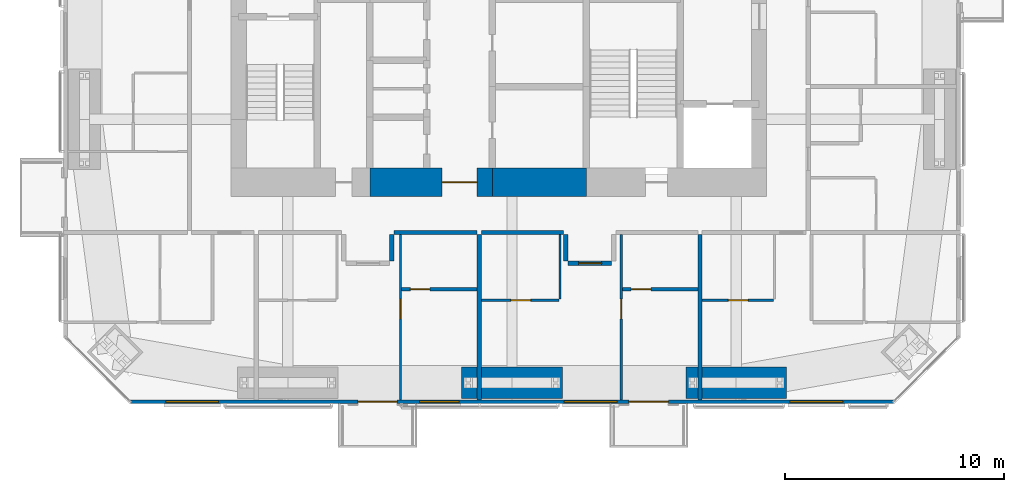
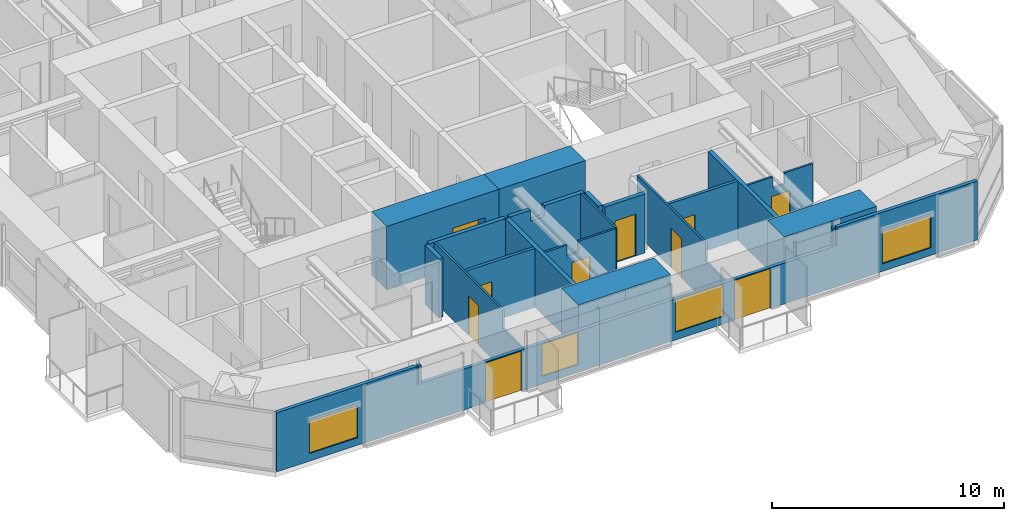
# One storey, part 16 of 23: 19 walls, 10 doors, 4 windows, 14 openings.
"""IFC4 building model written with IfcOpenShell, lengths in metres."""

from ifc_helpers import new_model, si_unit, direction, frame, frame_2d, origin, place, context, subcontext, project, spatial, polyline, rectangle, outline, extrude, material, layer, layer_set, constituent, constituent_set, type_object, element, fill, save


model = new_model("IFC4")

# Units and contexts
model_context = context("Model", 3, precision=1e-05, world=origin(), true_north=direction((0.0, 1.0)))
body_context = subcontext(model_context, "Body", "Model", "MODEL_VIEW")
ifc_project = project(units=[si_unit("LENGTHUNIT", "METRE"), si_unit("AREAUNIT", "SQUARE_METRE"), si_unit("VOLUMEUNIT", "CUBIC_METRE"), si_unit("PLANEANGLEUNIT", "RADIAN"), si_unit("MASSUNIT", "GRAM", prefix="KILO")], contexts=[model_context])

# Site, building, storey
site_placement = place(None, origin())
site = spatial("IfcSite", under=ifc_project, at=site_placement, CompositionType="ELEMENT")
building_placement = place(site_placement, origin())
building = spatial("IfcBuilding", under=site, at=building_placement, Name="Jalousie Tower", CompositionType="ELEMENT")
storey_placement = place(building_placement, frame((0.0, 0.0, 157.699951171875)))
storey = spatial("IfcBuildingStorey", under=building, at=storey_placement, Name="L42", CompositionType="ELEMENT", Elevation=157.699951171875)

# Wall, opening, door
ifc_material_1 = material(Name="Concrete block ASTM C90", Category="concrete")
ifc_constituent_1 = constituent(ifc_material_1, Name="Body")
ifc_material_2 = material(Name="Render")
ifc_constituent_2 = constituent(ifc_material_2, Name="Finish")
ifc_constituent_set_1 = constituent_set(constituents=[ifc_constituent_1, ifc_constituent_2])
wall_type_1 = type_object("IfcWallType", Name="BATHROOM WALL 150", PredefinedType="PLUMBINGWALL", material=ifc_constituent_set_1)
wall_1_placement = place(storey_placement, frame((27.449951171875, 5.22509765625, 0.0), z_axis=(0.0, 0.0, 1.0), x_axis=(1.0, 0.0, 0.0)))
wall_1 = element("IfcWall", 1, at=wall_1_placement, inside=storey, type_object=wall_type_1, Name="Bathroom Wall 150 L42", PredefinedType="PLUMBINGWALL", context=body_context, shape_type="SweptSolid", body=[
    extrude(rectangle(XDim=3.449951171875, YDim=0.14990234375, at=frame_2d((1.72509765625, 0.0))), origin(), (0.0, 0.0, 1.0), 3.110107421875),
])
opening_1_placement = place(wall_1_placement, frame((0.39990234375, 0.0, 0.0)))
opening_1 = element("IfcOpeningElement", 2, at=opening_1_placement, cuts=wall_1, Name="Opening D3", PredefinedType="OPENING", context=body_context, shape_type="SweptSolid", body=[
    extrude(rectangle(XDim=0.89990234375, YDim=2.10009765625, at=frame_2d((0.449951171875, 1.050048828125))), frame((0.0, 0.0849609375, 0.0), z_axis=(0.0, -1.0, 0.0), x_axis=(1.0, 0.0, 0.0)), (0.0, 0.0, 1.0), 0.169921875),
])
ifc_material_3 = material(Name="Timber door", Category="wood")
door_type_1 = type_object("IfcDoorType", Name="BATHROOM DOOR 900", OperationType="SINGLE_SWING_LEFT", PredefinedType="DOOR", material=ifc_material_3)
door_1_placement = place(opening_1_placement, origin())
door_1 = element("IfcDoor", 3, at=door_1_placement, inside=storey, type_object=door_type_1, Name="Apartment 4202 bedroom 1 bathroom door", OperationType="SINGLE_SWING_LEFT", OverallHeight=2.10009765625, OverallWidth=0.89990234375, PredefinedType="DOOR", context=body_context, shape_type="SweptSolid", body=[
    extrude(rectangle(XDim=0.89990234375, YDim=2.10009765625, at=frame_2d((0.449951171875, 1.050048828125))), frame((0.0, 0.02490234375, 0.0), z_axis=(0.0, -1.0, 0.0), x_axis=(1.0, 0.0, 0.0)), (0.0, 0.0, 1.0), 0.050048828125),
])
fill(opening_1, door_1)

wall_2_placement = place(storey_placement, frame((37.550048828125, 5.22509765625, 0.0), z_axis=(0.0, 0.0, 1.0), x_axis=(1.0, 0.0, 0.0)))
wall_2 = element("IfcWall", 4, at=wall_2_placement, inside=storey, type_object=wall_type_1, Name="Bathroom Wall 150 L42", PredefinedType="PLUMBINGWALL", context=body_context, shape_type="SweptSolid", body=[
    extrude(rectangle(XDim=3.449951171875, YDim=0.14990234375, at=frame_2d((1.72509765625, 0.0))), origin(), (0.0, 0.0, 1.0), 3.110107421875),
])
opening_2_placement = place(wall_2_placement, frame((0.39990234375, 0.0, 0.0)))
opening_2 = element("IfcOpeningElement", 5, at=opening_2_placement, cuts=wall_2, Name="Opening D3", PredefinedType="OPENING", context=body_context, shape_type="SweptSolid", body=[
    extrude(rectangle(XDim=0.89990234375, YDim=2.10009765625, at=frame_2d((0.449951171875, 1.050048828125))), frame((0.0, 0.0849609375, 0.0), z_axis=(0.0, -1.0, 0.0), x_axis=(1.0, 0.0, 0.0)), (0.0, 0.0, 1.0), 0.169921875),
])
door_2_placement = place(opening_2_placement, origin())
door_2 = element("IfcDoor", 6, at=door_2_placement, inside=storey, type_object=door_type_1, Name="Apartment 4203 bedroom 1 bathroom door", OperationType="SINGLE_SWING_LEFT", OverallHeight=2.10009765625, OverallWidth=0.89990234375, PredefinedType="DOOR", context=body_context, shape_type="SweptSolid", body=[
    extrude(rectangle(XDim=0.89990234375, YDim=2.10009765625, at=frame_2d((0.449951171875, 1.050048828125))), frame((0.0, 0.02490234375, 0.0), z_axis=(0.0, -1.0, 0.0), x_axis=(1.0, 0.0, 0.0)), (0.0, 0.0, 1.0), 0.050048828125),
])
fill(opening_2, door_2)

ifc_material_4 = material(Name="Concrete f'c 120 MPa", Category="concrete")
ifc_layer_1 = layer(ifc_material_4, 1.300048828125)
ifc_layer_set_1 = layer_set([ifc_layer_1], Name="Concrete f'c 120 MPa")
wall_type_2 = type_object("IfcWallType", Name="CORE WALL 1300", PredefinedType="SHEAR", material=ifc_layer_set_1)
wall_3_placement = place(storey_placement, frame((26.0, 10.125, 0.0), z_axis=(0.0, 0.0, 1.0), x_axis=(1.0, 0.0, 0.0)))
wall_3 = element("IfcWall", 7, at=wall_3_placement, inside=storey, type_object=wall_type_2, Name="Core wall SB L42", PredefinedType="SHEAR", context=body_context, shape_type="SweptSolid", body=[
    extrude(rectangle(XDim=5.60009765625, YDim=1.300048828125, at=frame_2d((2.800048828125, 0.0))), origin(), (0.0, 0.0, 1.0), 3.35009765625),
])
opening_3_placement = place(wall_3_placement, frame((3.300048828125, 0.0, 0.0)))
opening_3 = element("IfcOpeningElement", 8, at=opening_3_placement, cuts=wall_3, Name="Opening D15", PredefinedType="OPENING", context=body_context, shape_type="SweptSolid", body=[
    extrude(rectangle(XDim=1.60009765625, YDim=2.10009765625, at=frame_2d((0.800048828125, 1.050048828125))), frame((0.0, 0.659912109375, 0.0), z_axis=(0.0, -1.0, 0.0), x_axis=(1.0, 0.0, 0.0)), (0.0, 0.0, 1.0), 1.320068359375),
])
ifc_material_5 = material(Name="Steel fire door", Category="steel")
door_type_2 = type_object("IfcDoorType", Name="LIFT LOBBY DOOR 1600", OperationType="DOUBLE_DOOR_SINGLE_SWING", PredefinedType="DOOR", material=ifc_material_5)
door_3_placement = place(opening_3_placement, origin())
door_3 = element("IfcDoor", 9, at=door_3_placement, inside=storey, type_object=door_type_2, Name="Lift lobby south door", OperationType="DOUBLE_DOOR_SINGLE_SWING", OverallHeight=2.10009765625, OverallWidth=1.60009765625, PredefinedType="DOOR", context=body_context, shape_type="SweptSolid", body=[
    extrude(rectangle(XDim=1.60009765625, YDim=2.10009765625, at=frame_2d((0.800048828125, 1.050048828125))), frame((0.0, 0.02490234375, 0.0), z_axis=(0.0, -1.0, 0.0), x_axis=(1.0, 0.0, 0.0)), (0.0, 0.0, 1.0), 0.050048828125),
])
fill(opening_3, door_3)

# Walls
wall_4_placement = place(storey_placement, frame((31.60009765625, 10.125, 0.0), z_axis=(0.0, 0.0, 1.0), x_axis=(1.0, 0.0, 0.0)))
element("IfcWall", 10, at=wall_4_placement, inside=storey, type_object=wall_type_2, Name="Core wall SC L42", PredefinedType="SHEAR", context=body_context, shape_type="SweptSolid", body=[
    extrude(rectangle(XDim=4.2998046875, YDim=1.300048828125, at=frame_2d((2.14990234375, 0.0))), origin(), (0.0, 0.0, 1.0), 3.35009765625),
])
ifc_material_6 = material(Name="Concrete block ASTM C90", Category="concrete")
ifc_constituent_3 = constituent(ifc_material_6, Name="Body")
ifc_material_7 = material(Name="Render")
ifc_constituent_4 = constituent(ifc_material_7, Name="Finish")
ifc_constituent_set_2 = constituent_set(constituents=[ifc_constituent_3, ifc_constituent_4])
wall_type_3 = type_object("IfcWallType", Name="CORRIDOR WALL 200", PredefinedType="PARTITIONING", material=ifc_constituent_set_2)
wall_5_placement = place(storey_placement, frame((31.10009765625, 7.824951171875, 0.0), z_axis=(0.0, 0.0, 1.0), x_axis=(1.0, 0.0, 0.0)))
element("IfcWall", 11, at=wall_5_placement, inside=storey, type_object=wall_type_3, Name="Corridor Wall 200 L42", PredefinedType="PARTITIONING", context=body_context, shape_type="SweptSolid", body=[
    extrude(outline(polyline([(0.0, 0.0), (3.75, 0.0), (3.75, 3.110107421875), (1.74609375, 3.110107421875), (1.74609375, 2.531005859375), (1.0537109375, 2.531005859375), (1.0537109375, 3.110107421875), (0.0, 3.110107421875), (0.0, 0.0)])), frame((0.0, 0.10009765625, 0.0), z_axis=(0.0, -1.0, 0.0), x_axis=(1.0, 0.0, 0.0)), (0.0, 0.0, 1.0), 0.199951171875),
])
wall_6_placement = place(storey_placement, frame((27.10009765625, 7.824951171875, 0.0), z_axis=(0.0, 0.0, 1.0), x_axis=(1.0, 0.0, 0.0)))
element("IfcWall", 12, at=wall_6_placement, inside=storey, type_object=wall_type_3, Name="Corridor Wall 200 L42", PredefinedType="PARTITIONING", context=body_context, shape_type="SweptSolid", body=[
    extrude(rectangle(XDim=3.7998046875, YDim=0.199951171875, at=frame_2d((1.89990234375, 0.0))), origin(), (0.0, 0.0, 1.0), 3.110107421875),
])
wall_7_placement = place(storey_placement, frame((27.0, 7.72509765625, 0.0), z_axis=(0.0, 0.0, 1.0), x_axis=(0.0, -1.0, 0.0)))
element("IfcWall", 13, at=wall_7_placement, inside=storey, type_object=wall_type_3, Name="Corridor Wall 200 L42", PredefinedType="PARTITIONING", context=body_context, shape_type="SweptSolid", body=[
    extrude(rectangle(XDim=1.2001953125, YDim=0.199951171875, at=frame_2d((0.60009765625, 0.0))), origin(), (0.0, 0.0, 1.0), 3.110107421875),
])

# Wall, opening, door
wall_8_placement = place(storey_placement, frame((35.050048828125, 6.425048828125, 0.0), z_axis=(0.0, 0.0, 1.0), x_axis=(1.0, 0.0, 0.0)))
wall_8 = element("IfcWall", 14, at=wall_8_placement, inside=storey, type_object=wall_type_3, Name="Corridor Wall 200 L42", PredefinedType="PARTITIONING", context=body_context, shape_type="SweptSolid", body=[
    extrude(rectangle(XDim=2.0, YDim=0.199951171875, at=frame_2d((1.0, 0.0))), origin(), (0.0, 0.0, 1.0), 3.110107421875),
])
opening_4_placement = place(wall_8_placement, frame((0.5, 0.0, 0.0)))
opening_4 = element("IfcOpeningElement", 15, at=opening_4_placement, cuts=wall_8, Name="Opening D1", PredefinedType="OPENING", context=body_context, shape_type="SweptSolid", body=[
    extrude(rectangle(XDim=1.050048828125, YDim=2.199951171875, at=frame_2d((0.52490234375, 1.10009765625))), frame((0.0, 0.10986328125, 0.0), z_axis=(0.0, -1.0, 0.0), x_axis=(1.0, 0.0, 0.0)), (0.0, 0.0, 1.0), 0.219970703125),
])
ifc_material_8 = material(Name="Timber fire door", Category="wood")
door_type_3 = type_object("IfcDoorType", Name="APARTMENT ENTRANCE DOOR 1050", OperationType="SINGLE_SWING_LEFT", PredefinedType="DOOR", material=ifc_material_8)
door_4_placement = place(opening_4_placement, frame((1.050048828125, 0.0, 0.0), z_axis=(0.0, 0.0, 1.0), x_axis=(-1.0, 0.0, 0.0)))
door_4 = element("IfcDoor", 16, at=door_4_placement, inside=storey, type_object=door_type_3, Name="Apartment 4203 entrance", OperationType="SINGLE_SWING_RIGHT", OverallHeight=2.199951171875, OverallWidth=1.050048828125, PredefinedType="DOOR", context=body_context, shape_type="SweptSolid", body=[
    extrude(rectangle(XDim=1.050048828125, YDim=2.199951171875, at=frame_2d((0.52490234375, 1.10009765625))), frame((0.0, 0.02490234375, 0.0), z_axis=(0.0, -1.0, 0.0), x_axis=(1.0, 0.0, 0.0)), (0.0, 0.0, 1.0), 0.050048828125),
])
fill(opening_4, door_4)

# Wall
wall_9_placement = place(storey_placement, frame((34.949951171875, 7.72509765625, 0.0), z_axis=(0.0, 0.0, 1.0), x_axis=(0.0, -1.0, 0.0)))
element("IfcWall", 17, at=wall_9_placement, inside=storey, type_object=wall_type_3, Name="Corridor Wall 200 L42", PredefinedType="PARTITIONING", context=body_context, shape_type="SweptSolid", body=[
    extrude(rectangle(XDim=1.2001953125, YDim=0.199951171875, at=frame_2d((0.60009765625, 0.0))), origin(), (0.0, 0.0, 1.0), 3.110107421875),
])

# Wall, openings, doors, windows
ifc_material_9 = material(Name="Concrete f'c 40 MPa", Category="concrete")
ifc_constituent_5 = constituent(ifc_material_9, Name="Body")
ifc_material_10 = material(Name="Render, pastel lemon")
ifc_constituent_6 = constituent(ifc_material_10, Name="Finish")
ifc_constituent_set_3 = constituent_set(constituents=[ifc_constituent_5, ifc_constituent_6])
wall_type_4 = type_object("IfcWallType", Name="EXTERNAL WALL 175 LEMON RENDER", PredefinedType="SOLIDWALL", material=ifc_constituent_set_3)
wall_10_placement = place(storey_placement, frame((15.05126953125, 0.08740234375, 0.0), z_axis=(0.0, 0.0, 1.0), x_axis=(1.0, 0.0, 0.0)))
wall_10 = element("IfcWall", 18, at=wall_10_placement, inside=storey, type_object=wall_type_4, Name="External Wall 175 Lemon Render L42", PredefinedType="SOLIDWALL", context=body_context, shape_type="SweptSolid", body=[
    extrude(outline(polyline([(0.0, 0.0), (34.8974609375, 0.0), (34.8974609375, 3.110107421875), (27.91015625, 3.110107421875), (27.91015625, 2.150146484375), (27.8359375, 2.150146484375), (27.8359375, 3.110107421875), (27.69873046875, 3.110107421875), (27.69873046875, 2.150146484375), (7.19873046875, 2.150146484375), (7.19873046875, 3.110107421875), (7.0615234375, 3.110107421875), (7.0615234375, 2.150146484375), (6.9873046875, 2.150146484375), (6.9873046875, 3.110107421875), (0.0, 3.110107421875), (0.0, 0.0)])), frame((0.0, 0.08740234375, 0.0), z_axis=(0.0, -1.0, 0.0), x_axis=(1.0, 0.0, 0.0)), (0.0, 0.0, 1.0), 0.175048828125),
])
opening_5_placement = place(wall_10_placement, frame((1.62451171875, 0.0, 0.39990234375)))
opening_5 = element("IfcOpeningElement", 19, at=opening_5_placement, cuts=wall_10, Name="Opening W-LIV170", PredefinedType="OPENING", context=body_context, shape_type="SweptSolid", body=[
    extrude(rectangle(XDim=2.39990234375, YDim=1.699951171875, at=frame_2d((1.199951171875, 0.85009765625))), frame((0.0, 0.097412109375, 0.0), z_axis=(0.0, -1.0, 0.0), x_axis=(1.0, 0.0, 0.0)), (0.0, 0.0, 1.0), 0.195068359375),
])
opening_6_placement = place(wall_10_placement, frame((10.398681640625, 0.0, 0.0)))
opening_6 = element("IfcOpeningElement", 20, at=opening_6_placement, cuts=wall_10, Name="Opening D-BAL21", PredefinedType="OPENING", context=body_context, shape_type="SweptSolid", body=[
    extrude(rectangle(XDim=1.800048828125, YDim=2.10009765625, at=frame_2d((0.89990234375, 1.050048828125))), frame((0.0, 0.097412109375, 0.0), z_axis=(0.0, -1.0, 0.0), x_axis=(1.0, 0.0, 0.0)), (0.0, 0.0, 1.0), 0.195068359375),
])
opening_7_placement = place(wall_10_placement, frame((13.2236328125, 0.0, 0.39990234375)))
opening_7 = element("IfcOpeningElement", 21, at=opening_7_placement, cuts=wall_10, Name="Opening W-BED170", PredefinedType="OPENING", context=body_context, shape_type="SweptSolid", body=[
    extrude(rectangle(XDim=1.800048828125, YDim=1.699951171875, at=frame_2d((0.89990234375, 0.85009765625))), frame((0.0, 0.097412109375, 0.0), z_axis=(0.0, -1.0, 0.0), x_axis=(1.0, 0.0, 0.0)), (0.0, 0.0, 1.0), 0.195068359375),
])
opening_8_placement = place(wall_10_placement, frame((19.8486328125, 0.0, 0.39990234375)))
opening_8 = element("IfcOpeningElement", 22, at=opening_8_placement, cuts=wall_10, Name="Opening W-LIV170", PredefinedType="OPENING", context=body_context, shape_type="SweptSolid", body=[
    extrude(rectangle(XDim=2.39990234375, YDim=1.699951171875, at=frame_2d((1.199951171875, 0.85009765625))), frame((0.0, 0.097412109375, 0.0), z_axis=(0.0, -1.0, 0.0), x_axis=(1.0, 0.0, 0.0)), (0.0, 0.0, 1.0), 0.195068359375),
])
opening_9_placement = place(wall_10_placement, frame((22.798583984375, 0.0, 0.0)))
opening_9 = element("IfcOpeningElement", 23, at=opening_9_placement, cuts=wall_10, Name="Opening D-BAL21", PredefinedType="OPENING", context=body_context, shape_type="SweptSolid", body=[
    extrude(rectangle(XDim=1.800048828125, YDim=2.10009765625, at=frame_2d((0.89990234375, 1.050048828125))), frame((0.0, 0.097412109375, 0.0), z_axis=(0.0, -1.0, 0.0), x_axis=(1.0, 0.0, 0.0)), (0.0, 0.0, 1.0), 0.195068359375),
])
opening_10_placement = place(wall_10_placement, frame((30.17041015625, 0.0, 0.39990234375)))
opening_10 = element("IfcOpeningElement", 24, at=opening_10_placement, cuts=wall_10, Name="Opening W-LIV170", PredefinedType="OPENING", context=body_context, shape_type="SweptSolid", body=[
    extrude(rectangle(XDim=2.39990234375, YDim=1.699951171875, at=frame_2d((1.199951171875, 0.85009765625))), frame((0.0, 0.097412109375, 0.0), z_axis=(0.0, -1.0, 0.0), x_axis=(1.0, 0.0, 0.0)), (0.0, 0.0, 1.0), 0.195068359375),
])
ifc_material_11 = material(Name="Aluminium frame, impact-rated glazing", Category="aluminium")
door_type_4 = type_object("IfcDoorType", Name="BALCONY DOOR 1800x2100", OperationType="SLIDING_TO_LEFT", PredefinedType="DOOR", material=ifc_material_11)
door_5_placement = place(opening_6_placement, origin())
door_5 = element("IfcDoor", 25, at=door_5_placement, inside=storey, type_object=door_type_4, Name="Apartment 4202 living and dining room balcony door", OperationType="SLIDING_TO_LEFT", OverallHeight=2.10009765625, OverallWidth=1.800048828125, PredefinedType="DOOR", context=body_context, shape_type="SweptSolid", body=[
    extrude(rectangle(XDim=1.800048828125, YDim=2.10009765625, at=frame_2d((0.89990234375, 1.050048828125))), frame((0.0, 0.02490234375, 0.0), z_axis=(0.0, -1.0, 0.0), x_axis=(1.0, 0.0, 0.0)), (0.0, 0.0, 1.0), 0.050048828125),
])
fill(opening_6, door_5)
door_6_placement = place(opening_9_placement, origin())
door_6 = element("IfcDoor", 26, at=door_6_placement, inside=storey, type_object=door_type_4, Name="Apartment 4203 bedroom 1 balcony door", OperationType="SLIDING_TO_LEFT", OverallHeight=2.10009765625, OverallWidth=1.800048828125, PredefinedType="DOOR", context=body_context, shape_type="SweptSolid", body=[
    extrude(rectangle(XDim=1.800048828125, YDim=2.10009765625, at=frame_2d((0.89990234375, 1.050048828125))), frame((0.0, 0.02490234375, 0.0), z_axis=(0.0, -1.0, 0.0), x_axis=(1.0, 0.0, 0.0)), (0.0, 0.0, 1.0), 0.050048828125),
])
fill(opening_9, door_6)
ifc_material_12 = material(Name="Aluminium frame, impact-rated glazing", Category="aluminium")
window_type_1 = type_object("IfcWindowType", Name="WINDOW BED 1800x1700", PartitioningType="SINGLE_PANEL", PredefinedType="WINDOW", material=ifc_material_12)
window_1_placement = place(opening_7_placement, origin())
window_1 = element("IfcWindow", 27, at=window_1_placement, inside=storey, type_object=window_type_1, Name="Apartment 4202 bedroom 1 window", OverallHeight=1.699951171875, OverallWidth=1.800048828125, PartitioningType="SINGLE_PANEL", PredefinedType="WINDOW", context=body_context, shape_type="SweptSolid", body=[
    extrude(rectangle(XDim=1.800048828125, YDim=1.699951171875, at=frame_2d((0.89990234375, 0.85009765625))), frame((0.0, 0.030029296875, 0.0), z_axis=(0.0, -1.0, 0.0), x_axis=(1.0, 0.0, 0.0)), (0.0, 0.0, 1.0), 0.06005859375),
])
fill(opening_7, window_1)
ifc_material_13 = material(Name="Aluminium frame, impact-rated glazing", Category="aluminium")
window_type_2 = type_object("IfcWindowType", Name="WINDOW LIV 2400x1700", PartitioningType="DOUBLE_PANEL_VERTICAL", PredefinedType="WINDOW", material=ifc_material_13)
window_2_placement = place(opening_5_placement, origin())
window_2 = element("IfcWindow", 28, at=window_2_placement, inside=storey, type_object=window_type_2, Name="Apartment 4201 living, dining and kitchen window", OverallHeight=1.699951171875, OverallWidth=2.39990234375, PartitioningType="SINGLE_PANEL", PredefinedType="WINDOW", context=body_context, shape_type="SweptSolid", body=[
    extrude(rectangle(XDim=2.39990234375, YDim=1.699951171875, at=frame_2d((1.199951171875, 0.85009765625))), frame((0.0, 0.030029296875, 0.0), z_axis=(0.0, -1.0, 0.0), x_axis=(1.0, 0.0, 0.0)), (0.0, 0.0, 1.0), 0.06005859375),
])
fill(opening_5, window_2)
window_3_placement = place(opening_8_placement, origin())
window_3 = element("IfcWindow", 29, at=window_3_placement, inside=storey, type_object=window_type_2, Name="Apartment 4203 living and dining room window", OverallHeight=1.699951171875, OverallWidth=2.39990234375, PartitioningType="SINGLE_PANEL", PredefinedType="WINDOW", context=body_context, shape_type="SweptSolid", body=[
    extrude(rectangle(XDim=2.39990234375, YDim=1.699951171875, at=frame_2d((1.199951171875, 0.85009765625))), frame((0.0, 0.030029296875, 0.0), z_axis=(0.0, -1.0, 0.0), x_axis=(1.0, 0.0, 0.0)), (0.0, 0.0, 1.0), 0.06005859375),
])
fill(opening_8, window_3)
window_4_placement = place(opening_10_placement, origin())
window_4 = element("IfcWindow", 30, at=window_4_placement, inside=storey, type_object=window_type_2, Name="Apartment 4204 living and dining room window", OverallHeight=1.699951171875, OverallWidth=2.39990234375, PartitioningType="SINGLE_PANEL", PredefinedType="WINDOW", context=body_context, shape_type="SweptSolid", body=[
    extrude(rectangle(XDim=2.39990234375, YDim=1.699951171875, at=frame_2d((1.199951171875, 0.85009765625))), frame((0.0, 0.030029296875, 0.0), z_axis=(0.0, -1.0, 0.0), x_axis=(1.0, 0.0, 0.0)), (0.0, 0.0, 1.0), 0.06005859375),
])
fill(opening_10, window_4)

# Wall, opening, door
ifc_material_14 = material(Name="Gypsum board", Category="gypsum")
ifc_constituent_7 = constituent(ifc_material_14, Name="Body")
ifc_material_15 = material(Name="Light-gauge steel studs ASTM A653 SS Grade 33", Category="steel")
ifc_constituent_8 = constituent(ifc_material_15, Name="Framing")
ifc_constituent_set_4 = constituent_set(constituents=[ifc_constituent_7, ifc_constituent_8])
wall_type_5 = type_object("IfcWallType", Name="PARTITION 100", PredefinedType="PARTITIONING", material=ifc_constituent_set_4)
wall_11_placement = place(storey_placement, frame((27.39990234375, 0.175048828125, 0.0), z_axis=(0.0, 0.0, 1.0), x_axis=(0.0, 1.0, 0.0)))
wall_11 = element("IfcWall", 31, at=wall_11_placement, inside=storey, type_object=wall_type_5, Name="Partition 100 L42", PredefinedType="PARTITIONING", context=body_context, shape_type="SweptSolid", body=[
    extrude(outline(polyline([(0.0, 0.0), (7.550048828125, 0.0), (7.550048828125, 3.110107421875), (1.635009765625, 3.110107421875), (1.635009765625, 2.150146484375), (0.0, 2.150146484375), (0.0, 3.110107421875), (0.0, 0.0)])), frame((0.0, 0.050048828125, 0.0), z_axis=(0.0, -1.0, 0.0), x_axis=(1.0, 0.0, 0.0)), (0.0, 0.0, 1.0), 0.10009765625),
])
opening_11_placement = place(wall_11_placement, frame((3.699951171875, 0.0, 0.0)))
opening_11 = element("IfcOpeningElement", 32, at=opening_11_placement, cuts=wall_11, Name="Opening D2", PredefinedType="OPENING", context=body_context, shape_type="SweptSolid", body=[
    extrude(rectangle(XDim=0.89990234375, YDim=2.10009765625, at=frame_2d((0.449951171875, 1.050048828125))), frame((0.0, 0.06005859375, 0.0), z_axis=(0.0, -1.0, 0.0), x_axis=(1.0, 0.0, 0.0)), (0.0, 0.0, 1.0), 0.1201171875),
])
ifc_material_16 = material(Name="Timber door", Category="wood")
door_type_5 = type_object("IfcDoorType", Name="BEDROOM DOOR 900", OperationType="SINGLE_SWING_LEFT", PredefinedType="DOOR", material=ifc_material_16)
door_7_placement = place(opening_11_placement, frame((0.89990234375, 0.0, 0.0), z_axis=(0.0, 0.0, 1.0), x_axis=(-1.0, 0.0, 0.0)))
door_7 = element("IfcDoor", 33, at=door_7_placement, inside=storey, type_object=door_type_5, Name="Apartment 4202 bedroom 1 door", OperationType="SINGLE_SWING_LEFT", OverallHeight=2.10009765625, OverallWidth=0.89990234375, PredefinedType="DOOR", context=body_context, shape_type="SweptSolid", body=[
    extrude(rectangle(XDim=0.89990234375, YDim=2.10009765625, at=frame_2d((0.449951171875, 1.050048828125))), frame((0.0, 0.02490234375, 0.0), z_axis=(0.0, -1.0, 0.0), x_axis=(1.0, 0.0, 0.0)), (0.0, 0.0, 1.0), 0.050048828125),
])
fill(opening_11, door_7)

wall_12_placement = place(storey_placement, frame((37.5, 0.175048828125, 0.0), z_axis=(0.0, 0.0, 1.0), x_axis=(0.0, 1.0, 0.0)))
wall_12 = element("IfcWall", 34, at=wall_12_placement, inside=storey, type_object=wall_type_5, Name="Partition 100 L42", PredefinedType="PARTITIONING", context=body_context, shape_type="SweptSolid", body=[
    extrude(outline(polyline([(0.0, 0.0), (7.550048828125, 0.0), (7.550048828125, 3.110107421875), (1.635009765625, 3.110107421875), (1.635009765625, 2.150146484375), (0.0, 2.150146484375), (0.0, 3.110107421875), (0.0, 0.0)])), frame((0.0, 0.050048828125, 0.0), z_axis=(0.0, -1.0, 0.0), x_axis=(1.0, 0.0, 0.0)), (0.0, 0.0, 1.0), 0.10009765625),
])
opening_12_placement = place(wall_12_placement, frame((3.699951171875, 0.0, 0.0)))
opening_12 = element("IfcOpeningElement", 35, at=opening_12_placement, cuts=wall_12, Name="Opening D2", PredefinedType="OPENING", context=body_context, shape_type="SweptSolid", body=[
    extrude(rectangle(XDim=0.89990234375, YDim=2.10009765625, at=frame_2d((0.449951171875, 1.050048828125))), frame((0.0, 0.06005859375, 0.0), z_axis=(0.0, -1.0, 0.0), x_axis=(1.0, 0.0, 0.0)), (0.0, 0.0, 1.0), 0.1201171875),
])
door_8_placement = place(opening_12_placement, frame((0.89990234375, 0.0, 0.0), z_axis=(0.0, 0.0, 1.0), x_axis=(-1.0, 0.0, 0.0)))
door_8 = element("IfcDoor", 36, at=door_8_placement, inside=storey, type_object=door_type_5, Name="Apartment 4203 bedroom 1 door", OperationType="SINGLE_SWING_LEFT", OverallHeight=2.10009765625, OverallWidth=0.89990234375, PredefinedType="DOOR", context=body_context, shape_type="SweptSolid", body=[
    extrude(rectangle(XDim=0.89990234375, YDim=2.10009765625, at=frame_2d((0.449951171875, 1.050048828125))), frame((0.0, 0.02490234375, 0.0), z_axis=(0.0, -1.0, 0.0), x_axis=(1.0, 0.0, 0.0)), (0.0, 0.0, 1.0), 0.050048828125),
])
fill(opening_12, door_8)

wall_13_placement = place(storey_placement, frame((31.10009765625, 4.72509765625, 0.0), z_axis=(0.0, 0.0, 1.0), x_axis=(1.0, 0.0, 0.0)))
wall_13 = element("IfcWall", 37, at=wall_13_placement, inside=storey, type_object=wall_type_5, Name="Partition 100 L42", PredefinedType="PARTITIONING", context=body_context, shape_type="SweptSolid", body=[
    extrude(outline(polyline([(0.0, 0.0), (3.5498046875, 0.0), (3.550048828125, 3.110107421875), (1.6962890625, 3.110107421875), (1.6962890625, 2.531005859375), (1.103759765625, 2.531005859375), (1.103759765625, 3.110107421875), (0.0, 3.110107421875), (0.0, 0.0)])), frame((0.0, 0.050048828125, 0.0), z_axis=(0.0, -1.0, 0.0), x_axis=(1.0, 0.0, 0.0)), (0.0, 0.0, 1.0), 0.10009765625),
])
opening_13_placement = place(wall_13_placement, frame((1.35009765625, 0.0, 0.0)))
opening_13 = element("IfcOpeningElement", 38, at=opening_13_placement, cuts=wall_13, Name="Opening D7", PredefinedType="OPENING", context=body_context, shape_type="SweptSolid", body=[
    extrude(rectangle(XDim=0.89990234375, YDim=2.10009765625, at=frame_2d((0.449951171875, 1.050048828125))), frame((0.0, 0.06005859375, 0.0), z_axis=(0.0, -1.0, 0.0), x_axis=(1.0, 0.0, 0.0)), (0.0, 0.0, 1.0), 0.1201171875),
])
ifc_material_17 = material(Name="Timber door", Category="wood")
door_type_6 = type_object("IfcDoorType", Name="INTERNAL DOOR 900", OperationType="SINGLE_SWING_LEFT", PredefinedType="DOOR", material=ifc_material_17)
door_9_placement = place(opening_13_placement, frame((0.89990234375, 0.0, 0.0), z_axis=(0.0, 0.0, 1.0), x_axis=(-1.0, 0.0, 0.0)))
door_9 = element("IfcDoor", 39, at=door_9_placement, inside=storey, type_object=door_type_6, Name="Apartment 4203 kitchen door", OperationType="SINGLE_SWING_RIGHT", OverallHeight=2.10009765625, OverallWidth=0.89990234375, PredefinedType="DOOR", context=body_context, shape_type="SweptSolid", body=[
    extrude(rectangle(XDim=0.89990234375, YDim=2.10009765625, at=frame_2d((0.449951171875, 1.050048828125))), frame((0.0, 0.02490234375, 0.0), z_axis=(0.0, -1.0, 0.0), x_axis=(1.0, 0.0, 0.0)), (0.0, 0.0, 1.0), 0.050048828125),
])
fill(opening_13, door_9)

# Wall
wall_14_placement = place(storey_placement, frame((34.699951171875, 4.77490234375, 0.0), z_axis=(0.0, 0.0, 1.0), x_axis=(0.0, 1.0, 0.0)))
element("IfcWall", 40, at=wall_14_placement, inside=storey, type_object=wall_type_5, Name="Partition 100 L42", PredefinedType="PARTITIONING", context=body_context, shape_type="SweptSolid", body=[
    extrude(rectangle(XDim=2.9501953125, YDim=0.10009765625, at=frame_2d((1.47509765625, 0.0))), origin(), (0.0, 0.0, 1.0), 3.110107421875),
])

# Wall, opening, door
wall_15_placement = place(storey_placement, frame((41.199951171875, 4.72509765625, 0.0), z_axis=(0.0, 0.0, 1.0), x_axis=(1.0, 0.0, 0.0)))
wall_15 = element("IfcWall", 41, at=wall_15_placement, inside=storey, type_object=wall_type_5, Name="Partition 100 L42", PredefinedType="PARTITIONING", context=body_context, shape_type="SweptSolid", body=[
    extrude(outline(polyline([(0.0, 0.0), (3.25, 0.0), (3.25, 3.110107421875), (1.84619140625, 3.110107421875), (1.84619140625, 2.531005859375), (1.25390625, 2.531005859375), (1.25390625, 3.110107421875), (0.0, 3.110107421875), (0.0, 0.0)])), frame((0.0, 0.050048828125, 0.0), z_axis=(0.0, -1.0, 0.0), x_axis=(1.0, 0.0, 0.0)), (0.0, 0.0, 1.0), 0.10009765625),
])
opening_14_placement = place(wall_15_placement, frame((1.199951171875, 0.0, 0.0)))
opening_14 = element("IfcOpeningElement", 42, at=opening_14_placement, cuts=wall_15, Name="Opening D7", PredefinedType="OPENING", context=body_context, shape_type="SweptSolid", body=[
    extrude(rectangle(XDim=0.89990234375, YDim=2.10009765625, at=frame_2d((0.449951171875, 1.050048828125))), frame((0.0, 0.06005859375, 0.0), z_axis=(0.0, -1.0, 0.0), x_axis=(1.0, 0.0, 0.0)), (0.0, 0.0, 1.0), 0.1201171875),
])
door_10_placement = place(opening_14_placement, frame((0.89990234375, 0.0, 0.0), z_axis=(0.0, 0.0, 1.0), x_axis=(-1.0, 0.0, 0.0)))
door_10 = element("IfcDoor", 43, at=door_10_placement, inside=storey, type_object=door_type_6, Name="Apartment 4204 kitchen door", OperationType="SINGLE_SWING_RIGHT", OverallHeight=2.10009765625, OverallWidth=0.89990234375, PredefinedType="DOOR", context=body_context, shape_type="SweptSolid", body=[
    extrude(rectangle(XDim=0.89990234375, YDim=2.10009765625, at=frame_2d((0.449951171875, 1.050048828125))), frame((0.0, 0.02490234375, 0.0), z_axis=(0.0, -1.0, 0.0), x_axis=(1.0, 0.0, 0.0)), (0.0, 0.0, 1.0), 0.050048828125),
])
fill(opening_14, door_10)

# Walls
ifc_material_18 = material(Name="Concrete block ASTM C90", Category="concrete")
ifc_constituent_9 = constituent(ifc_material_18, Name="Body")
ifc_material_19 = material(Name="Render")
ifc_constituent_10 = constituent(ifc_material_19, Name="Finish")
ifc_constituent_set_5 = constituent_set(constituents=[ifc_constituent_9, ifc_constituent_10])
wall_type_6 = type_object("IfcWallType", Name="PARTY WALL 200", PredefinedType="PARTITIONING", material=ifc_constituent_set_5)
wall_16_placement = place(storey_placement, frame((31.0, 0.175048828125, 0.0), z_axis=(0.0, 0.0, 1.0), x_axis=(0.0, 1.0, 0.0)))
element("IfcWall", 44, at=wall_16_placement, inside=storey, type_object=wall_type_6, Name="Party Wall 200 L42", PredefinedType="PARTITIONING", context=body_context, shape_type="SweptSolid", body=[
    extrude(outline(polyline([(0.52880859375, 2.150146484375), (0.0, 2.150146484375), (0.0, 0.0), (0.52880859375, 0.0), (0.52880859375, 0.290283203125), (1.021240234375, 0.290283203125), (1.021240234375, 0.0), (7.550048828125, 0.0), (7.550048828125, 3.110107421875), (1.68505859375, 3.110107421875), (1.68505859375, 2.150146484375), (1.021240234375, 2.150146484375), (1.021240234375, 1.85986328125), (0.52880859375, 1.85986328125), (0.52880859375, 2.150146484375)])), frame((0.0, 0.10009765625, 0.0), z_axis=(0.0, -1.0, 0.0), x_axis=(1.0, 0.0, 0.0)), (0.0, 0.0, 1.0), 0.199951171875),
])
wall_17_placement = place(storey_placement, frame((41.10009765625, 0.175048828125, 0.0), z_axis=(0.0, 0.0, 1.0), x_axis=(0.0, 1.0, 0.0)))
element("IfcWall", 45, at=wall_17_placement, inside=storey, type_object=wall_type_6, Name="Party Wall 200 L42", PredefinedType="PARTITIONING", context=body_context, shape_type="SweptSolid", body=[
    extrude(outline(polyline([(0.52880859375, 2.150146484375), (0.0, 2.150146484375), (0.0, 0.0), (0.52880859375, 0.0), (0.52880859375, 0.16455078125), (1.021240234375, 0.16455078125), (1.021240234375, 0.0), (7.550048828125, 0.0), (7.550048828125, 3.110107421875), (1.68505859375, 3.110107421875), (1.68505859375, 2.150146484375), (1.021240234375, 2.150146484375), (1.021240234375, 1.9853515625), (0.52880859375, 1.9853515625), (0.52880859375, 2.150146484375)])), frame((0.0, 0.10009765625, 0.0), z_axis=(0.0, -1.0, 0.0), x_axis=(1.0, 0.0, 0.0)), (0.0, 0.0, 1.0), 0.199951171875),
])
ifc_material_20 = material(Name="Concrete f'c 120 MPa", Category="concrete")
ifc_layer_2 = layer(ifc_material_20, 1.449951171875)
ifc_layer_set_2 = layer_set([ifc_layer_2], Name="Concrete f'c 120 MPa")
wall_type_7 = type_object("IfcWallType", Name="RC WALL PIER 1450", PredefinedType="SHEAR", material=ifc_layer_set_2)
for number, where, z_axis, x_axis, name in (
    (46, (30.199951171875, 0.949951171875, 0.0), (0.0, 0.0, 1.0), (1.0, 0.0, 0.0), "Wall pier 03 L42"),
    (47, (40.449951171875, 0.949951171875, 0.0), (0.0, 0.0, 1.0), (1.0, 0.0, 0.0), "Wall pier 04 L42"),
):
    element("IfcWall", number, at=place(storey_placement, frame(where, z_axis=z_axis, x_axis=x_axis)), inside=storey, type_object=wall_type_7, Name=name, PredefinedType="SHEAR", context=body_context, shape_type="SweptSolid", body=[
        extrude(rectangle(XDim=4.60009765625, YDim=1.449951171875, at=frame_2d((2.300048828125, 0.0))), origin(), (0.0, 0.0, 1.0), 3.35009765625),
    ])

save(model, "model.ifc")
